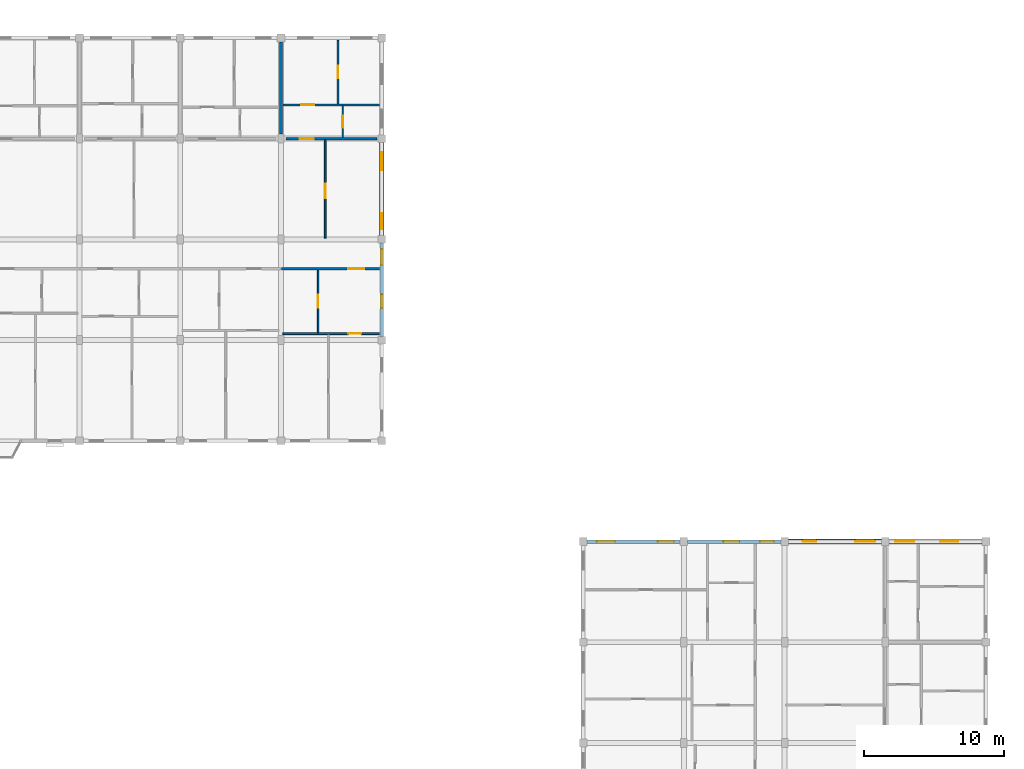
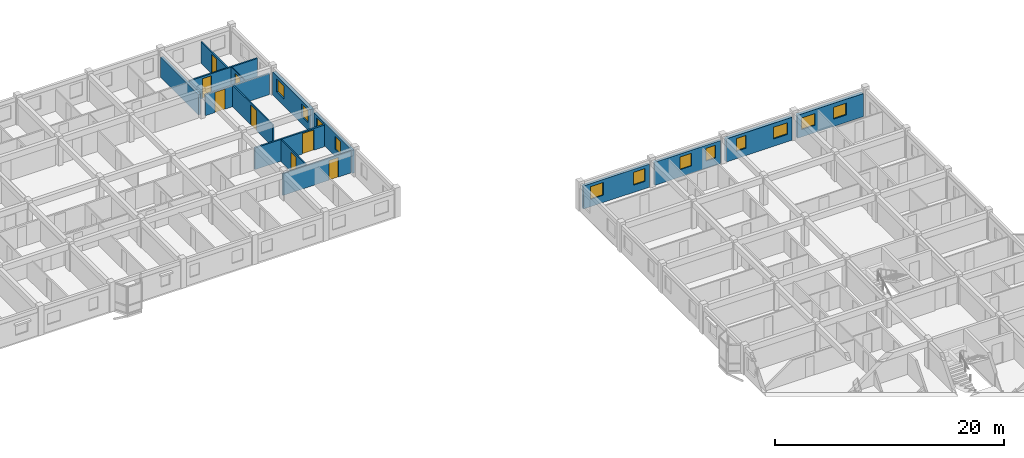
# One storey, part 71 of 77: 15 walls, 12 windows, 8 doors, 20 openings.
"""IFC4 building model written with IfcOpenShell, lengths in metres."""

from ifc_helpers import new_model, si_unit, direction, frame, frame_2d, origin, place, context, subcontext, project, spatial, rectangle, extrude, material, layer, layer_set, type_object, element, fill, save


model = new_model("IFC4")

# Units and contexts
model_context = context("Model", 3, precision=1e-05, world=origin(), true_north=direction((0.0, 1.0)))
body_context = subcontext(model_context, "Body", "Model", "MODEL_VIEW")
ifc_project = project(units=[si_unit("LENGTHUNIT", "METRE"), si_unit("AREAUNIT", "SQUARE_METRE"), si_unit("VOLUMEUNIT", "CUBIC_METRE"), si_unit("PLANEANGLEUNIT", "RADIAN"), si_unit("MASSUNIT", "GRAM", prefix="KILO"), si_unit("THERMODYNAMICTEMPERATUREUNIT", "KELVIN"), si_unit("POWERUNIT", "WATT")], contexts=[model_context])

# Site, building, storey
site_placement = place(None, origin())
site = spatial("IfcSite", under=ifc_project, at=site_placement, CompositionType="ELEMENT")
building_placement = place(site_placement, origin())
building = spatial("IfcBuilding", under=site, at=building_placement, Name="Tavuni Mirador Residences", CompositionType="ELEMENT")
storey_placement = place(building_placement, frame((0.0, 0.0, 17.10009765625)))
storey = spatial("IfcBuildingStorey", under=building, at=storey_placement, Name="L05", CompositionType="ELEMENT", Elevation=17.10009765625)

# Wall, opening, door
ifc_material_1 = material(Name="Precast concrete C40/50", Category="concrete")
ifc_layer_1 = layer(ifc_material_1, 0.1650390625, Name="Precast concrete C40/50", Category="concrete")
ifc_layer_set_1 = layer_set([ifc_layer_1], Name="Precast concrete C40/50")
wall_type_1 = type_object("IfcWallType", Name="WT-CORR165", PredefinedType="PARTITIONING", material=ifc_layer_set_1)
wall_1_placement = place(storey_placement, frame((68.419921875, 156.300048828125, 0.0), z_axis=(0.0, 0.0, 1.0), x_axis=(1.0, 0.0, 0.0)))
wall_1 = element("IfcWall", 1, at=wall_1_placement, inside=storey, type_object=wall_type_1, Name="CORW-BLK-C-L05-0-08", PredefinedType="PARTITIONING", context=body_context, shape_type="SweptSolid", body=[
    extrude(rectangle(XDim=7.005126953125, YDim=0.1650390625, at=frame_2d((3.50244140625, 0.0))), origin(), (0.0, 0.0, 1.0), 2.31982421875),
])
opening_1_placement = place(wall_1_placement, frame((4.780029296875, 0.0, 0.0)))
opening_1 = element("IfcOpeningElement", 2, at=opening_1_placement, cuts=wall_1, Name="Opening D-20", PredefinedType="OPENING", context=body_context, shape_type="SweptSolid", body=[
    extrude(rectangle(XDim=1.139892578125, YDim=2.179931640625, at=frame_2d((0.56982421875, 1.08984375))), frame((0.0, 0.092529296875, 0.0), z_axis=(0.0, -1.0, 0.0), x_axis=(1.0, 0.0, 0.0)), (0.0, 0.0, 1.0), 0.18505859375),
])
ifc_material_2 = material(Name="Solid core iroko timber", Category="wood")
door_type_1 = type_object("IfcDoorType", Name="DT-FD60-1140", OperationType="NOTDEFINED", PredefinedType="DOOR", material=ifc_material_2)
door_1_placement = place(opening_1_placement, origin())
door_1 = element("IfcDoor", 3, at=door_1_placement, inside=storey, type_object=door_type_1, Name="DR-2699", OperationType="SINGLE_SWING_RIGHT", OverallHeight=2.179931640625, OverallWidth=1.139892578125, PredefinedType="DOOR", context=body_context, shape_type="SweptSolid", body=[
    extrude(rectangle(XDim=1.139892578125, YDim=2.179931640625, at=frame_2d((0.56982421875, 1.08984375))), frame((0.0, 0.02490234375, 0.0), z_axis=(0.0, -1.0, 0.0), x_axis=(1.0, 0.0, 0.0)), (0.0, 0.0, 1.0), 0.050048828125),
])
fill(opening_1, door_1)

wall_2_placement = place(storey_placement, frame((68.75, 165.60009765625, 0.0), z_axis=(0.0, 0.0, 1.0), x_axis=(1.0, 0.0, 0.0)))
wall_2 = element("IfcWall", 4, at=wall_2_placement, inside=storey, type_object=wall_type_1, Name="CORW-BLK-C-L05-1-08", PredefinedType="PARTITIONING", context=body_context, shape_type="SweptSolid", body=[
    extrude(rectangle(XDim=6.5, YDim=0.1650390625, at=frame_2d((3.25, 0.0))), origin(), (0.0, 0.0, 1.0), 2.23486328125),
])
opening_2_placement = place(wall_2_placement, frame((1.0, 0.0, 0.0)))
opening_2 = element("IfcOpeningElement", 5, at=opening_2_placement, cuts=wall_2, Name="Opening D-03", PredefinedType="OPENING", context=body_context, shape_type="SweptSolid", body=[
    extrude(rectangle(XDim=1.0, YDim=2.14990234375, at=frame_2d((0.5, 1.074951171875))), frame((0.0, 0.092529296875, 0.0), z_axis=(0.0, -1.0, 0.0), x_axis=(1.0, 0.0, 0.0)), (0.0, 0.0, 1.0), 0.18505859375),
])
door_type_2 = type_object("IfcDoorType", Name="DT-FD60-1000", OperationType="NOTDEFINED", PredefinedType="DOOR", material=ifc_material_2)
door_2_placement = place(opening_2_placement, origin())
door_2 = element("IfcDoor", 6, at=door_2_placement, inside=storey, type_object=door_type_2, Name="DR-2706", OperationType="SINGLE_SWING_LEFT", OverallHeight=2.14990234375, OverallWidth=1.0, PredefinedType="DOOR", context=body_context, shape_type="SweptSolid", body=[
    extrude(rectangle(XDim=1.0, YDim=2.14990234375, at=frame_2d((0.5, 1.074951171875))), frame((0.0, 0.02490234375, 0.0), z_axis=(0.0, -1.0, 0.0), x_axis=(1.0, 0.0, 0.0)), (0.0, 0.0, 1.0), 0.050048828125),
])
fill(opening_2, door_2)

# Wall, openings, windows
ifc_layer_2 = layer(ifc_material_1, 0.330078125, Name="Precast concrete C40/50", Category="concrete")
ifc_layer_set_2 = layer_set([ifc_layer_2], Name="Precast concrete C40/50")
wall_type_2 = type_object("IfcWallType", Name="WT-EXT-COR330", PredefinedType="SOLIDWALL", material=ifc_layer_set_2)
wall_3_placement = place(storey_placement, frame((75.60009765625, 158.675048828125, 0.0), z_axis=(0.0, 0.0, 1.0), x_axis=(0.0, 1.0, 0.0)))
wall_3 = element("IfcWall", 7, at=wall_3_placement, inside=storey, type_object=wall_type_2, Name="EW-BLK-C-L05-E02", PredefinedType="SOLIDWALL", context=body_context, shape_type="SweptSolid", body=[
    extrude(rectangle(XDim=6.64990234375, YDim=0.330078125, at=frame_2d((3.324951171875, 0.0))), origin(), (0.0, 0.0, 1.0), 2.454833984375),
])
opening_3_placement = place(wall_3_placement, frame((0.449951171875, 0.0, 0.780029296875)))
opening_3 = element("IfcOpeningElement", 8, at=opening_3_placement, cuts=wall_3, Name="Opening WN-20", PredefinedType="OPENING", context=body_context, shape_type="SweptSolid", body=[
    extrude(rectangle(XDim=1.139892578125, YDim=1.360107421875, at=frame_2d((0.56982421875, 0.68017578125))), frame((0.0, 0.175048828125, 0.0), z_axis=(0.0, -1.0, 0.0), x_axis=(1.0, 0.0, 0.0)), (0.0, 0.0, 1.0), 0.35009765625),
])
opening_4_placement = place(wall_3_placement, frame((4.64990234375, 0.0, 0.780029296875)))
opening_4 = element("IfcOpeningElement", 9, at=opening_4_placement, cuts=wall_3, Name="Opening WN-22", PredefinedType="OPENING", context=body_context, shape_type="SweptSolid", body=[
    extrude(rectangle(XDim=1.300048828125, YDim=1.360107421875, at=frame_2d((0.64990234375, 0.68017578125))), frame((0.0, 0.175048828125, 0.0), z_axis=(0.0, -1.0, 0.0), x_axis=(1.0, 0.0, 0.0)), (0.0, 0.0, 1.0), 0.35009765625),
])
ifc_material_3 = material(Name="Laminated solar-control glass", Category="glass")
window_type_1 = type_object("IfcWindowType", Name="WNT-20", PartitioningType="SINGLE_PANEL", PredefinedType="WINDOW", material=ifc_material_3)
window_1_placement = place(opening_3_placement, origin())
window_1 = element("IfcWindow", 10, at=window_1_placement, inside=storey, type_object=window_type_1, Name="WIN-1064", OverallHeight=1.360107421875, OverallWidth=1.139892578125, PartitioningType="SINGLE_PANEL", PredefinedType="WINDOW", context=body_context, shape_type="SweptSolid", body=[
    extrude(rectangle(XDim=1.139892578125, YDim=1.360107421875, at=frame_2d((0.56982421875, 0.68017578125))), frame((0.0, 0.030029296875, 0.0), z_axis=(0.0, -1.0, 0.0), x_axis=(1.0, 0.0, 0.0)), (0.0, 0.0, 1.0), 0.06005859375),
])
fill(opening_3, window_1)
window_type_2 = type_object("IfcWindowType", Name="WNT-22", PartitioningType="SINGLE_PANEL", PredefinedType="WINDOW", material=ifc_material_3)
window_2_placement = place(opening_4_placement, origin())
window_2 = element("IfcWindow", 11, at=window_2_placement, inside=storey, type_object=window_type_2, Name="WIN-1065", OverallHeight=1.360107421875, OverallWidth=1.300048828125, PartitioningType="SINGLE_PANEL", PredefinedType="WINDOW", context=body_context, shape_type="SweptSolid", body=[
    extrude(rectangle(XDim=1.300048828125, YDim=1.360107421875, at=frame_2d((0.64990234375, 0.68017578125))), frame((0.0, 0.030029296875, 0.0), z_axis=(0.0, -1.0, 0.0), x_axis=(1.0, 0.0, 0.0)), (0.0, 0.0, 1.0), 0.06005859375),
])
fill(opening_4, window_2)

wall_4_placement = place(storey_placement, frame((111.324951171875, 136.800048828125, 0.0), z_axis=(0.0, 0.0, 1.0), x_axis=(-1.0, 0.0, 0.0)))
wall_4 = element("IfcWall", 12, at=wall_4_placement, inside=storey, type_object=wall_type_2, Name="EW-BLK-D-L05-N02", PredefinedType="SOLIDWALL", context=body_context, shape_type="SweptSolid", body=[
    extrude(rectangle(XDim=6.64990234375, YDim=0.330078125, at=frame_2d((3.324951171875, 0.0))), origin(), (0.0, 0.0, 1.0), 2.4599609375),
])
opening_5_placement = place(wall_4_placement, frame((0.449951171875, 0.0, 0.780029296875)))
opening_5 = element("IfcOpeningElement", 13, at=opening_5_placement, cuts=wall_4, Name="Opening WN-16", PredefinedType="OPENING", context=body_context, shape_type="SweptSolid", body=[
    extrude(rectangle(XDim=1.43994140625, YDim=1.260009765625, at=frame_2d((0.719970703125, 0.6298828125))), frame((0.0, 0.175048828125, 0.0), z_axis=(0.0, -1.0, 0.0), x_axis=(1.0, 0.0, 0.0)), (0.0, 0.0, 1.0), 0.35009765625),
])
opening_6_placement = place(wall_4_placement, frame((4.64990234375, 0.0, 0.780029296875)))
opening_6 = element("IfcOpeningElement", 14, at=opening_6_placement, cuts=wall_4, Name="Opening WN-18", PredefinedType="OPENING", context=body_context, shape_type="SweptSolid", body=[
    extrude(rectangle(XDim=0.97998046875, YDim=1.360107421875, at=frame_2d((0.489990234375, 0.68017578125))), frame((0.0, 0.175048828125, 0.0), z_axis=(0.0, -1.0, 0.0), x_axis=(1.0, 0.0, 0.0)), (0.0, 0.0, 1.0), 0.35009765625),
])
window_type_3 = type_object("IfcWindowType", Name="WNT-16", PartitioningType="SINGLE_PANEL", PredefinedType="WINDOW", material=ifc_material_3)
window_3_placement = place(opening_5_placement, origin())
window_3 = element("IfcWindow", 15, at=window_3_placement, inside=storey, type_object=window_type_3, Name="WIN-1630", OverallHeight=1.260009765625, OverallWidth=1.43994140625, PartitioningType="SINGLE_PANEL", PredefinedType="WINDOW", context=body_context, shape_type="SweptSolid", body=[
    extrude(rectangle(XDim=1.43994140625, YDim=1.260009765625, at=frame_2d((0.719970703125, 0.6298828125))), frame((0.0, 0.030029296875, 0.0), z_axis=(0.0, -1.0, 0.0), x_axis=(1.0, 0.0, 0.0)), (0.0, 0.0, 1.0), 0.06005859375),
])
fill(opening_5, window_3)
window_type_4 = type_object("IfcWindowType", Name="WNT-18", PartitioningType="SINGLE_PANEL", PredefinedType="WINDOW", material=ifc_material_3)
window_4_placement = place(opening_6_placement, origin())
window_4 = element("IfcWindow", 16, at=window_4_placement, inside=storey, type_object=window_type_4, Name="WIN-1631", OverallHeight=1.360107421875, OverallWidth=0.97998046875, PartitioningType="SINGLE_PANEL", PredefinedType="WINDOW", context=body_context, shape_type="SweptSolid", body=[
    extrude(rectangle(XDim=0.97998046875, YDim=1.360107421875, at=frame_2d((0.489990234375, 0.68017578125))), frame((0.0, 0.030029296875, 0.0), z_axis=(0.0, -1.0, 0.0), x_axis=(1.0, 0.0, 0.0)), (0.0, 0.0, 1.0), 0.06005859375),
])
fill(opening_6, window_4)

ifc_material_4 = material(Name="Sgraffito lime-rendered precast concrete C40/50", Category="concrete")
ifc_layer_3 = layer(ifc_material_4, 0.2451171875, Name="Sgraffito lime-rendered precast concrete C40/50", Category="concrete")
ifc_layer_set_3 = layer_set([ifc_layer_3], Name="Sgraffito lime-rendered precast concrete C40/50")
wall_type_3 = type_object("IfcWallType", Name="WT-EXT-PC245", PredefinedType="SOLIDWALL", material=ifc_layer_set_3)
wall_5_placement = place(storey_placement, frame((75.60009765625, 151.47509765625, 0.0), z_axis=(0.0, 0.0, 1.0), x_axis=(0.0, 1.0, 0.0)))
wall_5 = element("IfcWall", 17, at=wall_5_placement, inside=storey, type_object=wall_type_3, Name="EW-BLK-C-L05-E01", PredefinedType="SOLIDWALL", context=body_context, shape_type="SweptSolid", body=[
    extrude(rectangle(XDim=6.64990234375, YDim=0.2451171875, at=frame_2d((3.324951171875, 0.0))), origin(), (0.0, 0.0, 1.0), 2.454833984375),
])
opening_7_placement = place(wall_5_placement, frame((2.02001953125, 0.0, 0.780029296875)))
opening_7 = element("IfcOpeningElement", 18, at=opening_7_placement, cuts=wall_5, Name="Opening WN-18", PredefinedType="OPENING", context=body_context, shape_type="SweptSolid", body=[
    extrude(rectangle(XDim=0.97998046875, YDim=1.360107421875, at=frame_2d((0.489990234375, 0.68017578125))), frame((0.0, 0.132568359375, 0.0), z_axis=(0.0, -1.0, 0.0), x_axis=(1.0, 0.0, 0.0)), (0.0, 0.0, 1.0), 0.26513671875),
])
opening_8_placement = place(wall_5_placement, frame((5.097412109375, 0.0, 0.780029296875)))
opening_8 = element("IfcOpeningElement", 19, at=opening_8_placement, cuts=wall_5, Name="Opening WN-20", PredefinedType="OPENING", context=body_context, shape_type="SweptSolid", body=[
    extrude(rectangle(XDim=1.139892578125, YDim=1.360107421875, at=frame_2d((0.56982421875, 0.68017578125))), frame((0.0, 0.132568359375, 0.0), z_axis=(0.0, -1.0, 0.0), x_axis=(1.0, 0.0, 0.0)), (0.0, 0.0, 1.0), 0.26513671875),
])
window_5_placement = place(opening_7_placement, origin())
window_5 = element("IfcWindow", 20, at=window_5_placement, inside=storey, type_object=window_type_4, Name="WIN-1062", OverallHeight=1.360107421875, OverallWidth=0.97998046875, PartitioningType="SINGLE_PANEL", PredefinedType="WINDOW", context=body_context, shape_type="SweptSolid", body=[
    extrude(rectangle(XDim=0.97998046875, YDim=1.360107421875, at=frame_2d((0.489990234375, 0.68017578125))), frame((0.0, 0.030029296875, 0.0), z_axis=(0.0, -1.0, 0.0), x_axis=(1.0, 0.0, 0.0)), (0.0, 0.0, 1.0), 0.06005859375),
])
fill(opening_7, window_5)
window_6_placement = place(opening_8_placement, origin())
window_6 = element("IfcWindow", 21, at=window_6_placement, inside=storey, type_object=window_type_1, Name="WIN-1063", OverallHeight=1.360107421875, OverallWidth=1.139892578125, PartitioningType="SINGLE_PANEL", PredefinedType="WINDOW", context=body_context, shape_type="SweptSolid", body=[
    extrude(rectangle(XDim=1.139892578125, YDim=1.360107421875, at=frame_2d((0.56982421875, 0.68017578125))), frame((0.0, 0.030029296875, 0.0), z_axis=(0.0, -1.0, 0.0), x_axis=(1.0, 0.0, 0.0)), (0.0, 0.0, 1.0), 0.06005859375),
])
fill(opening_8, window_6)

wall_6_placement = place(storey_placement, frame((104.125, 136.800048828125, 0.0), z_axis=(0.0, 0.0, 1.0), x_axis=(-1.0, 0.0, 0.0)))
wall_6 = element("IfcWall", 22, at=wall_6_placement, inside=storey, type_object=wall_type_3, Name="EW-BLK-D-L05-N01", PredefinedType="SOLIDWALL", context=body_context, shape_type="SweptSolid", body=[
    extrude(rectangle(XDim=6.64990234375, YDim=0.2451171875, at=frame_2d((3.324951171875, 0.0))), origin(), (0.0, 0.0, 1.0), 2.4599609375),
])
opening_9_placement = place(wall_6_placement, frame((0.492431640625, 0.0, 0.780029296875)))
opening_9 = element("IfcOpeningElement", 23, at=opening_9_placement, cuts=wall_6, Name="Opening WN-18", PredefinedType="OPENING", context=body_context, shape_type="SweptSolid", body=[
    extrude(rectangle(XDim=0.97998046875, YDim=1.360107421875, at=frame_2d((0.489990234375, 0.68017578125))), frame((0.0, 0.132568359375, 0.0), z_axis=(0.0, -1.0, 0.0), x_axis=(1.0, 0.0, 0.0)), (0.0, 0.0, 1.0), 0.26513671875),
])
opening_10_placement = place(wall_6_placement, frame((2.955078125, 0.0, 0.780029296875)))
opening_10 = element("IfcOpeningElement", 24, at=opening_10_placement, cuts=wall_6, Name="Opening WN-20", PredefinedType="OPENING", context=body_context, shape_type="SweptSolid", body=[
    extrude(rectangle(XDim=1.139892578125, YDim=1.360107421875, at=frame_2d((0.56982421875, 0.68017578125))), frame((0.0, 0.132568359375, 0.0), z_axis=(0.0, -1.0, 0.0), x_axis=(1.0, 0.0, 0.0)), (0.0, 0.0, 1.0), 0.26513671875),
])
window_7_placement = place(opening_9_placement, origin())
window_7 = element("IfcWindow", 25, at=window_7_placement, inside=storey, type_object=window_type_4, Name="WIN-1632", OverallHeight=1.360107421875, OverallWidth=0.97998046875, PartitioningType="SINGLE_PANEL", PredefinedType="WINDOW", context=body_context, shape_type="SweptSolid", body=[
    extrude(rectangle(XDim=0.97998046875, YDim=1.360107421875, at=frame_2d((0.489990234375, 0.68017578125))), frame((0.0, 0.030029296875, 0.0), z_axis=(0.0, -1.0, 0.0), x_axis=(1.0, 0.0, 0.0)), (0.0, 0.0, 1.0), 0.06005859375),
])
fill(opening_9, window_7)
window_8_placement = place(opening_10_placement, origin())
window_8 = element("IfcWindow", 26, at=window_8_placement, inside=storey, type_object=window_type_1, Name="WIN-1633", OverallHeight=1.360107421875, OverallWidth=1.139892578125, PartitioningType="SINGLE_PANEL", PredefinedType="WINDOW", context=body_context, shape_type="SweptSolid", body=[
    extrude(rectangle(XDim=1.139892578125, YDim=1.360107421875, at=frame_2d((0.56982421875, 0.68017578125))), frame((0.0, 0.030029296875, 0.0), z_axis=(0.0, -1.0, 0.0), x_axis=(1.0, 0.0, 0.0)), (0.0, 0.0, 1.0), 0.06005859375),
])
fill(opening_10, window_8)

ifc_layer_4 = layer(ifc_material_4, 0.2548828125, Name="Sgraffito lime-rendered precast concrete C40/50", Category="concrete")
ifc_layer_set_4 = layer_set([ifc_layer_4], Name="Sgraffito lime-rendered precast concrete C40/50")
wall_type_4 = type_object("IfcWallType", Name="WT-EXT-PC255", PredefinedType="SOLIDWALL", material=ifc_layer_set_4)
wall_7_placement = place(storey_placement, frame((96.925048828125, 136.800048828125, 0.0), z_axis=(0.0, 0.0, 1.0), x_axis=(-1.0, 0.0, 0.0)))
wall_7 = element("IfcWall", 27, at=wall_7_placement, inside=storey, type_object=wall_type_4, Name="EW-BLK-D-L05-N00", PredefinedType="SOLIDWALL", context=body_context, shape_type="SweptSolid", body=[
    extrude(rectangle(XDim=6.650146484375, YDim=0.2548828125, at=frame_2d((3.3251953125, 0.0))), origin(), (0.0, 0.0, 1.0), 2.4599609375),
])
opening_11_placement = place(wall_7_placement, frame((0.449951171875, 0.0, 0.780029296875)))
opening_11 = element("IfcOpeningElement", 28, at=opening_11_placement, cuts=wall_7, Name="Opening WN-20", PredefinedType="OPENING", context=body_context, shape_type="SweptSolid", body=[
    extrude(rectangle(XDim=1.139892578125, YDim=1.360107421875, at=frame_2d((0.56982421875, 0.68017578125))), frame((0.0, 0.137451171875, 0.0), z_axis=(0.0, -1.0, 0.0), x_axis=(1.0, 0.0, 0.0)), (0.0, 0.0, 1.0), 0.27490234375),
])
opening_12_placement = place(wall_7_placement, frame((4.64990234375, 0.0, 0.780029296875)))
opening_12 = element("IfcOpeningElement", 29, at=opening_12_placement, cuts=wall_7, Name="Opening WN-22", PredefinedType="OPENING", context=body_context, shape_type="SweptSolid", body=[
    extrude(rectangle(XDim=1.300048828125, YDim=1.360107421875, at=frame_2d((0.64990234375, 0.68017578125))), frame((0.0, 0.137451171875, 0.0), z_axis=(0.0, -1.0, 0.0), x_axis=(1.0, 0.0, 0.0)), (0.0, 0.0, 1.0), 0.27490234375),
])
window_9_placement = place(opening_11_placement, origin())
window_9 = element("IfcWindow", 30, at=window_9_placement, inside=storey, type_object=window_type_1, Name="WIN-1634", OverallHeight=1.360107421875, OverallWidth=1.139892578125, PartitioningType="SINGLE_PANEL", PredefinedType="WINDOW", context=body_context, shape_type="SweptSolid", body=[
    extrude(rectangle(XDim=1.139892578125, YDim=1.360107421875, at=frame_2d((0.56982421875, 0.68017578125))), frame((0.0, 0.030029296875, 0.0), z_axis=(0.0, -1.0, 0.0), x_axis=(1.0, 0.0, 0.0)), (0.0, 0.0, 1.0), 0.06005859375),
])
fill(opening_11, window_9)
window_10_placement = place(opening_12_placement, origin())
window_10 = element("IfcWindow", 31, at=window_10_placement, inside=storey, type_object=window_type_2, Name="WIN-1635", OverallHeight=1.360107421875, OverallWidth=1.300048828125, PartitioningType="SINGLE_PANEL", PredefinedType="WINDOW", context=body_context, shape_type="SweptSolid", body=[
    extrude(rectangle(XDim=1.300048828125, YDim=1.360107421875, at=frame_2d((0.64990234375, 0.68017578125))), frame((0.0, 0.030029296875, 0.0), z_axis=(0.0, -1.0, 0.0), x_axis=(1.0, 0.0, 0.0)), (0.0, 0.0, 1.0), 0.06005859375),
])
fill(opening_12, window_10)

ifc_layer_5 = layer(ifc_material_4, 0.31494140625, Name="Sgraffito lime-rendered precast concrete C40/50", Category="concrete")
ifc_layer_set_5 = layer_set([ifc_layer_5], Name="Sgraffito lime-rendered precast concrete C40/50")
wall_type_5 = type_object("IfcWallType", Name="WT-EXT-PC315", PredefinedType="SOLIDWALL", material=ifc_layer_set_5)
wall_8_placement = place(storey_placement, frame((118.52490234375, 136.800048828125, 0.0), z_axis=(0.0, 0.0, 1.0), x_axis=(-1.0, 0.0, 0.0)))
wall_8 = element("IfcWall", 32, at=wall_8_placement, inside=storey, type_object=wall_type_5, Name="EW-BLK-D-L05-N03", PredefinedType="SOLIDWALL", context=body_context, shape_type="SweptSolid", body=[
    extrude(rectangle(XDim=6.64990234375, YDim=0.31494140625, at=frame_2d((3.324951171875, 0.0))), origin(), (0.0, 0.0, 1.0), 2.4599609375),
])
opening_13_placement = place(wall_8_placement, frame((1.722412109375, 0.0, 0.780029296875)))
opening_13 = element("IfcOpeningElement", 33, at=opening_13_placement, cuts=wall_8, Name="Opening WN-14", PredefinedType="OPENING", context=body_context, shape_type="SweptSolid", body=[
    extrude(rectangle(XDim=1.280029296875, YDim=1.260009765625, at=frame_2d((0.64013671875, 0.6298828125))), frame((0.0, 0.16748046875, 0.0), z_axis=(0.0, -1.0, 0.0), x_axis=(1.0, 0.0, 0.0)), (0.0, 0.0, 1.0), 0.3349609375),
])
opening_14_placement = place(wall_8_placement, frame((4.867431640625, 0.0, 0.780029296875)))
opening_14 = element("IfcOpeningElement", 34, at=opening_14_placement, cuts=wall_8, Name="Opening WN-15", PredefinedType="OPENING", context=body_context, shape_type="SweptSolid", body=[
    extrude(rectangle(XDim=1.360107421875, YDim=1.260009765625, at=frame_2d((0.68017578125, 0.6298828125))), frame((0.0, 0.16748046875, 0.0), z_axis=(0.0, -1.0, 0.0), x_axis=(1.0, 0.0, 0.0)), (0.0, 0.0, 1.0), 0.3349609375),
])
window_type_5 = type_object("IfcWindowType", Name="WNT-14", PartitioningType="SINGLE_PANEL", PredefinedType="WINDOW", material=ifc_material_3)
window_11_placement = place(opening_13_placement, origin())
window_11 = element("IfcWindow", 35, at=window_11_placement, inside=storey, type_object=window_type_5, Name="WIN-1628", OverallHeight=1.260009765625, OverallWidth=1.280029296875, PartitioningType="SINGLE_PANEL", PredefinedType="WINDOW", context=body_context, shape_type="SweptSolid", body=[
    extrude(rectangle(XDim=1.280029296875, YDim=1.260009765625, at=frame_2d((0.64013671875, 0.6298828125))), frame((0.0, 0.030029296875, 0.0), z_axis=(0.0, -1.0, 0.0), x_axis=(1.0, 0.0, 0.0)), (0.0, 0.0, 1.0), 0.06005859375),
])
fill(opening_13, window_11)
window_type_6 = type_object("IfcWindowType", Name="WNT-15", PartitioningType="SINGLE_PANEL", PredefinedType="WINDOW", material=ifc_material_3)
window_12_placement = place(opening_14_placement, origin())
window_12 = element("IfcWindow", 36, at=window_12_placement, inside=storey, type_object=window_type_6, Name="WIN-1629", OverallHeight=1.260009765625, OverallWidth=1.360107421875, PartitioningType="SINGLE_PANEL", PredefinedType="WINDOW", context=body_context, shape_type="SweptSolid", body=[
    extrude(rectangle(XDim=1.360107421875, YDim=1.260009765625, at=frame_2d((0.68017578125, 0.6298828125))), frame((0.0, 0.030029296875, 0.0), z_axis=(0.0, -1.0, 0.0), x_axis=(1.0, 0.0, 0.0)), (0.0, 0.0, 1.0), 0.06005859375),
])
fill(opening_14, window_12)

# Wall, opening, door
ifc_material_5 = material(Name="Acoustic gypsum and concrete block partition", Category="concrete")
ifc_layer_6 = layer(ifc_material_5, 0.094970703125, Name="Acoustic gypsum and concrete block partition", Category="concrete")
ifc_layer_set_6 = layer_set([ifc_layer_6], Name="Acoustic gypsum and concrete block partition")
wall_type_6 = type_object("IfcWallType", Name="WT-PART095", PredefinedType="PARTITIONING", material=ifc_layer_set_6)
wall_9_placement = place(storey_placement, frame((72.820068359375, 165.68994140625, 0.0), z_axis=(0.0, 0.0, 1.0), x_axis=(0.0, 1.0, 0.0)))
wall_9 = element("IfcWall", 37, at=wall_9_placement, inside=storey, type_object=wall_type_6, Name="PW-BLK-C-L05-N08-IN1", PredefinedType="PARTITIONING", context=body_context, shape_type="SweptSolid", body=[
    extrude(rectangle(XDim=2.260009765625, YDim=0.094970703125, at=frame_2d((1.1298828125, 0.0))), origin(), (0.0, 0.0, 1.0), 2.31982421875),
])
opening_15_placement = place(wall_9_placement, frame((0.695068359375, 0.0, 0.0)))
opening_15 = element("IfcOpeningElement", 38, at=opening_15_placement, cuts=wall_9, Name="Opening D-10", PredefinedType="OPENING", context=body_context, shape_type="SweptSolid", body=[
    extrude(rectangle(XDim=0.8701171875, YDim=2.050048828125, at=frame_2d((0.43505859375, 1.02490234375))), frame((0.0, 0.0576171875, 0.0), z_axis=(0.0, -1.0, 0.0), x_axis=(1.0, 0.0, 0.0)), (0.0, 0.0, 1.0), 0.114990234375),
])
door_type_3 = type_object("IfcDoorType", Name="DT-WC870", OperationType="NOTDEFINED", PredefinedType="DOOR", material=ifc_material_2)
door_3_placement = place(opening_15_placement, origin())
door_3 = element("IfcDoor", 39, at=door_3_placement, inside=storey, type_object=door_type_3, Name="DR-3959", OperationType="SINGLE_SWING_RIGHT", OverallHeight=2.050048828125, OverallWidth=0.8701171875, PredefinedType="DOOR", context=body_context, shape_type="SweptSolid", body=[
    extrude(rectangle(XDim=0.8701171875, YDim=2.050048828125, at=frame_2d((0.43505859375, 1.02490234375))), frame((0.0, 0.02490234375, 0.0), z_axis=(0.0, -1.0, 0.0), x_axis=(1.0, 0.0, 0.0)), (0.0, 0.0, 1.0), 0.050048828125),
])
fill(opening_15, door_3)

ifc_layer_7 = layer(ifc_material_5, 0.10498046875, Name="Acoustic gypsum and concrete block partition", Category="concrete")
ifc_layer_set_7 = layer_set([ifc_layer_7], Name="Acoustic gypsum and concrete block partition")
wall_type_7 = type_object("IfcWallType", Name="WT-PART105", PredefinedType="PARTITIONING", material=ifc_layer_set_7)
wall_10_placement = place(storey_placement, frame((71.050048828125, 151.739990234375, 0.0), z_axis=(0.0, 0.0, 1.0), x_axis=(0.0, 1.0, 0.0)))
wall_10 = element("IfcWall", 40, at=wall_10_placement, inside=storey, type_object=wall_type_7, Name="PW-BLK-C-L05-S08-IN1", PredefinedType="PARTITIONING", context=body_context, shape_type="SweptSolid", body=[
    extrude(rectangle(XDim=4.469970703125, YDim=0.10498046875, at=frame_2d((2.23486328125, 0.0))), origin(), (0.0, 0.0, 1.0), 2.31982421875),
])
opening_16_placement = place(wall_10_placement, frame((1.784912109375, 0.0, 0.0)))
opening_16 = element("IfcOpeningElement", 41, at=opening_16_placement, cuts=wall_10, Name="Opening D-09", PredefinedType="OPENING", context=body_context, shape_type="SweptSolid", body=[
    extrude(rectangle(XDim=0.89990234375, YDim=2.050048828125, at=frame_2d((0.449951171875, 1.02490234375))), frame((0.0, 0.0625, 0.0), z_axis=(0.0, -1.0, 0.0), x_axis=(1.0, 0.0, 0.0)), (0.0, 0.0, 1.0), 0.125),
])
door_type_4 = type_object("IfcDoorType", Name="DT-WC900", OperationType="NOTDEFINED", PredefinedType="DOOR", material=ifc_material_2)
door_4_placement = place(opening_16_placement, origin())
door_4 = element("IfcDoor", 42, at=door_4_placement, inside=storey, type_object=door_type_4, Name="DR-3956", OperationType="SINGLE_SWING_LEFT", OverallHeight=2.050048828125, OverallWidth=0.89990234375, PredefinedType="DOOR", context=body_context, shape_type="SweptSolid", body=[
    extrude(rectangle(XDim=0.89990234375, YDim=2.050048828125, at=frame_2d((0.449951171875, 1.02490234375))), frame((0.0, 0.02490234375, 0.0), z_axis=(0.0, -1.0, 0.0), x_axis=(1.0, 0.0, 0.0)), (0.0, 0.0, 1.0), 0.050048828125),
])
fill(opening_16, door_4)

ifc_layer_8 = layer(ifc_material_5, 0.125, Name="Acoustic gypsum and concrete block partition", Category="concrete")
ifc_layer_set_8 = layer_set([ifc_layer_8], Name="Acoustic gypsum and concrete block partition")
wall_type_8 = type_object("IfcWallType", Name="WT-PART125", PredefinedType="PARTITIONING", material=ifc_layer_set_8)
wall_11_placement = place(storey_placement, frame((71.56005859375, 158.489990234375, 0.0), z_axis=(0.0, 0.0, 1.0), x_axis=(0.0, 1.0, 0.0)))
wall_11 = element("IfcWall", 43, at=wall_11_placement, inside=storey, type_object=wall_type_8, Name="PW-SPN-BLK-C-L05-08", PredefinedType="PARTITIONING", context=body_context, shape_type="SweptSolid", body=[
    extrude(rectangle(XDim=7.02001953125, YDim=0.125, at=frame_2d((3.510009765625, 0.0))), origin(), (0.0, 0.0, 1.0), 2.31982421875),
])
opening_17_placement = place(wall_11_placement, frame((2.85009765625, 0.0, 0.0)))
opening_17 = element("IfcOpeningElement", 44, at=opening_17_placement, cuts=wall_11, Name="Opening D-13", PredefinedType="OPENING", context=body_context, shape_type="SweptSolid", body=[
    extrude(rectangle(XDim=1.02001953125, YDim=2.14990234375, at=frame_2d((0.510009765625, 1.074951171875))), frame((0.0, 0.072509765625, 0.0), z_axis=(0.0, -1.0, 0.0), x_axis=(1.0, 0.0, 0.0)), (0.0, 0.0, 1.0), 0.14501953125),
])
door_type_5 = type_object("IfcDoorType", Name="DT-MTG1020", OperationType="NOTDEFINED", PredefinedType="DOOR", material=ifc_material_2)
door_5_placement = place(opening_17_placement, origin())
door_5 = element("IfcDoor", 45, at=door_5_placement, inside=storey, type_object=door_type_5, Name="DR-3954", OperationType="SINGLE_SWING_RIGHT", OverallHeight=2.14990234375, OverallWidth=1.02001953125, PredefinedType="DOOR", context=body_context, shape_type="SweptSolid", body=[
    extrude(rectangle(XDim=1.02001953125, YDim=2.14990234375, at=frame_2d((0.510009765625, 1.074951171875))), frame((0.0, 0.02490234375, 0.0), z_axis=(0.0, -1.0, 0.0), x_axis=(1.0, 0.0, 0.0)), (0.0, 0.0, 1.0), 0.050048828125),
])
fill(opening_17, door_5)

wall_12_placement = place(storey_placement, frame((72.47998046875, 168.090087890625, 0.0), z_axis=(0.0, 0.0, 1.0), x_axis=(0.0, 1.0, 0.0)))
wall_12 = element("IfcWall", 46, at=wall_12_placement, inside=storey, type_object=wall_type_8, Name="PW-BLK-C-L05-N08-OUT", PredefinedType="PARTITIONING", context=body_context, shape_type="SweptSolid", body=[
    extrude(rectangle(XDim=4.534912109375, YDim=0.125, at=frame_2d((2.267578125, 0.0))), origin(), (0.0, 0.0, 1.0), 2.31982421875),
])
opening_18_placement = place(wall_12_placement, frame((1.827392578125, 0.0, 0.0)))
opening_18 = element("IfcOpeningElement", 47, at=opening_18_placement, cuts=wall_12, Name="Opening D-08", PredefinedType="OPENING", context=body_context, shape_type="SweptSolid", body=[
    extrude(rectangle(XDim=0.8798828125, YDim=2.080078125, at=frame_2d((0.43994140625, 1.0400390625))), frame((0.0, 0.072509765625, 0.0), z_axis=(0.0, -1.0, 0.0), x_axis=(1.0, 0.0, 0.0)), (0.0, 0.0, 1.0), 0.14501953125),
])
door_type_6 = type_object("IfcDoorType", Name="DT-BED880", OperationType="NOTDEFINED", PredefinedType="DOOR", material=ifc_material_2)
door_6_placement = place(opening_18_placement, origin())
door_6 = element("IfcDoor", 48, at=door_6_placement, inside=storey, type_object=door_type_6, Name="DR-3958", OperationType="SINGLE_SWING_LEFT", OverallHeight=2.080078125, OverallWidth=0.8798828125, PredefinedType="DOOR", context=body_context, shape_type="SweptSolid", body=[
    extrude(rectangle(XDim=0.8798828125, YDim=2.080078125, at=frame_2d((0.43994140625, 1.0400390625))), frame((0.0, 0.02490234375, 0.0), z_axis=(0.0, -1.0, 0.0), x_axis=(1.0, 0.0, 0.0)), (0.0, 0.0, 1.0), 0.050048828125),
])
fill(opening_18, door_6)

ifc_layer_9 = layer(ifc_material_5, 0.139892578125, Name="Acoustic gypsum and concrete block partition", Category="concrete")
ifc_layer_set_9 = layer_set([ifc_layer_9], Name="Acoustic gypsum and concrete block partition")
wall_type_9 = type_object("IfcWallType", Name="WT-PART140", PredefinedType="PARTITIONING", material=ifc_layer_set_9)
wall_13_placement = place(storey_placement, frame((68.5400390625, 151.669921875, 0.0), z_axis=(0.0, 0.0, 1.0), x_axis=(1.0, 0.0, 0.0)))
wall_13 = element("IfcWall", 49, at=wall_13_placement, inside=storey, type_object=wall_type_9, Name="PW-BLK-C-L05-S08-MID", PredefinedType="PARTITIONING", context=body_context, shape_type="SweptSolid", body=[
    extrude(rectangle(XDim=6.885009765625, YDim=0.139892578125, at=frame_2d((3.4423828125, 0.0))), origin(), (0.0, 0.0, 1.0), 2.31982421875),
])
opening_19_placement = place(wall_13_placement, frame((4.659912109375, 0.0, 0.0)))
opening_19 = element("IfcOpeningElement", 50, at=opening_19_placement, cuts=wall_13, Name="Opening D-05", PredefinedType="OPENING", context=body_context, shape_type="SweptSolid", body=[
    extrude(rectangle(XDim=0.949951171875, YDim=2.10009765625, at=frame_2d((0.47509765625, 1.050048828125))), frame((0.0, 0.080078125, 0.0), z_axis=(0.0, -1.0, 0.0), x_axis=(1.0, 0.0, 0.0)), (0.0, 0.0, 1.0), 0.159912109375),
])
door_type_7 = type_object("IfcDoorType", Name="DT-INT950", OperationType="NOTDEFINED", PredefinedType="DOOR", material=ifc_material_2)
door_7_placement = place(opening_19_placement, origin())
door_7 = element("IfcDoor", 51, at=door_7_placement, inside=storey, type_object=door_type_7, Name="DR-3957", OperationType="SINGLE_SWING_LEFT", OverallHeight=2.10009765625, OverallWidth=0.949951171875, PredefinedType="DOOR", context=body_context, shape_type="SweptSolid", body=[
    extrude(rectangle(XDim=0.949951171875, YDim=2.10009765625, at=frame_2d((0.47509765625, 1.050048828125))), frame((0.0, 0.02490234375, 0.0), z_axis=(0.0, -1.0, 0.0), x_axis=(1.0, 0.0, 0.0)), (0.0, 0.0, 1.0), 0.050048828125),
])
fill(opening_19, door_7)

ifc_layer_10 = layer(ifc_material_5, 0.14990234375, Name="Acoustic gypsum and concrete block partition", Category="concrete")
ifc_layer_set_10 = layer_set([ifc_layer_10], Name="Acoustic gypsum and concrete block partition")
wall_type_10 = type_object("IfcWallType", Name="WT-PART150", PredefinedType="PARTITIONING", material=ifc_layer_set_10)
wall_14_placement = place(storey_placement, frame((68.5400390625, 168.02001953125, 0.0), z_axis=(0.0, 0.0, 1.0), x_axis=(1.0, 0.0, 0.0)))
wall_14 = element("IfcWall", 52, at=wall_14_placement, inside=storey, type_object=wall_type_10, Name="PW-BLK-C-L05-N08-MID", PredefinedType="PARTITIONING", context=body_context, shape_type="SweptSolid", body=[
    extrude(rectangle(XDim=6.885009765625, YDim=0.14990234375, at=frame_2d((3.4423828125, 0.0))), origin(), (0.0, 0.0, 1.0), 2.31982421875),
])
opening_20_placement = place(wall_14_placement, frame((1.31005859375, 0.0, 0.0)))
opening_20 = element("IfcOpeningElement", 53, at=opening_20_placement, cuts=wall_14, Name="Opening D-06", PredefinedType="OPENING", context=body_context, shape_type="SweptSolid", body=[
    extrude(rectangle(XDim=0.919921875, YDim=2.10009765625, at=frame_2d((0.4599609375, 1.050048828125))), frame((0.0, 0.0849609375, 0.0), z_axis=(0.0, -1.0, 0.0), x_axis=(1.0, 0.0, 0.0)), (0.0, 0.0, 1.0), 0.169921875),
])
door_type_8 = type_object("IfcDoorType", Name="DT-INT920", OperationType="NOTDEFINED", PredefinedType="DOOR", material=ifc_material_2)
door_8_placement = place(opening_20_placement, origin())
door_8 = element("IfcDoor", 54, at=door_8_placement, inside=storey, type_object=door_type_8, Name="DR-3960", OperationType="SINGLE_SWING_RIGHT", OverallHeight=2.10009765625, OverallWidth=0.919921875, PredefinedType="DOOR", context=body_context, shape_type="SweptSolid", body=[
    extrude(rectangle(XDim=0.919921875, YDim=2.10009765625, at=frame_2d((0.4599609375, 1.050048828125))), frame((0.0, 0.02490234375, 0.0), z_axis=(0.0, -1.0, 0.0), x_axis=(1.0, 0.0, 0.0)), (0.0, 0.0, 1.0), 0.050048828125),
])
fill(opening_20, door_8)

# Wall
ifc_layer_11 = layer(ifc_material_1, 0.235107421875, Name="Precast concrete C40/50", Category="concrete")
ifc_layer_set_11 = layer_set([ifc_layer_11], Name="Precast concrete C40/50")
wall_type_11 = type_object("IfcWallType", Name="WT-XW235", PredefinedType="SOLIDWALL", material=ifc_layer_set_11)
wall_15_placement = place(storey_placement, frame((68.39990234375, 165.925048828125, 0.0), z_axis=(0.0, 0.0, 1.0), x_axis=(0.0, 1.0, 0.0)))
element("IfcWall", 55, at=wall_15_placement, inside=storey, type_object=wall_type_11, Name="XW-BLK-C-L05-N-08", PredefinedType="SOLIDWALL", context=body_context, shape_type="SweptSolid", body=[
    extrude(rectangle(XDim=6.599853515625, YDim=0.235107421875, at=frame_2d((3.2998046875, 0.0))), origin(), (0.0, 0.0, 1.0), 2.184814453125),
])

save(model, "model.ifc")
